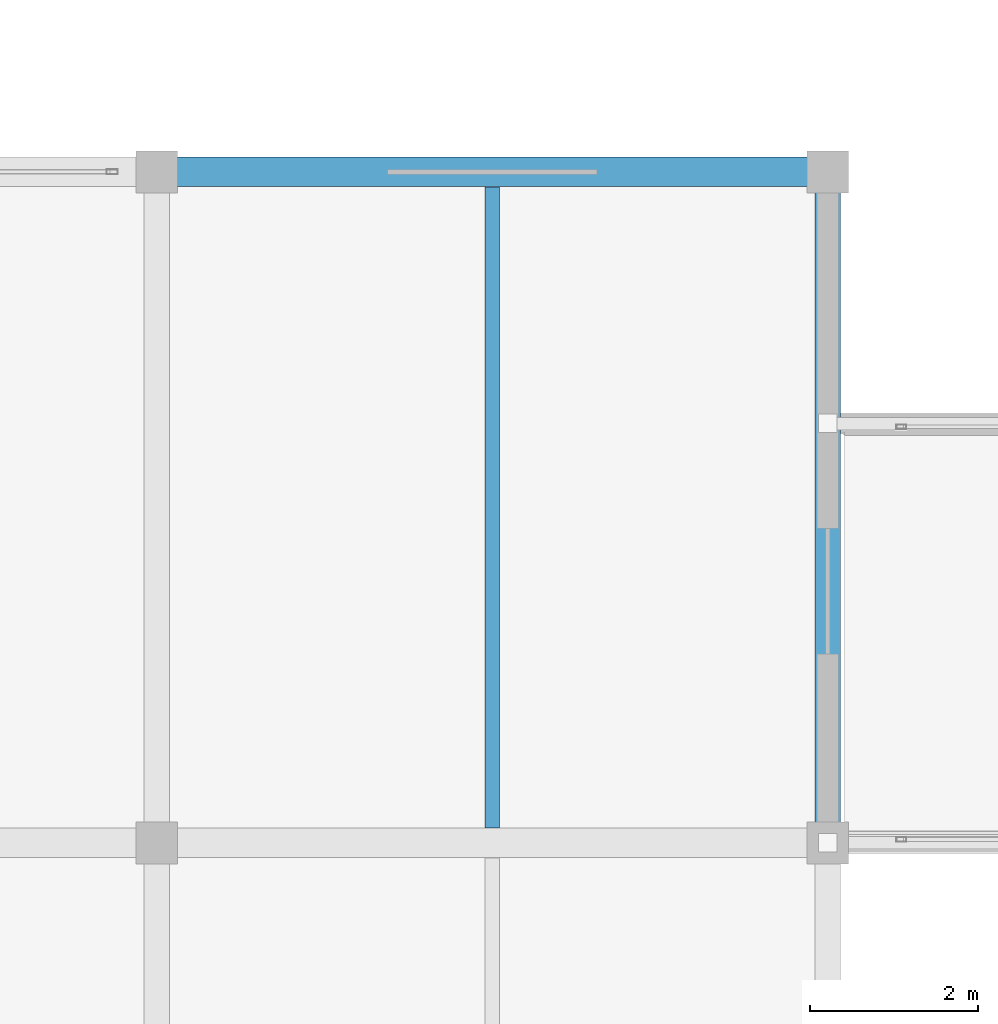
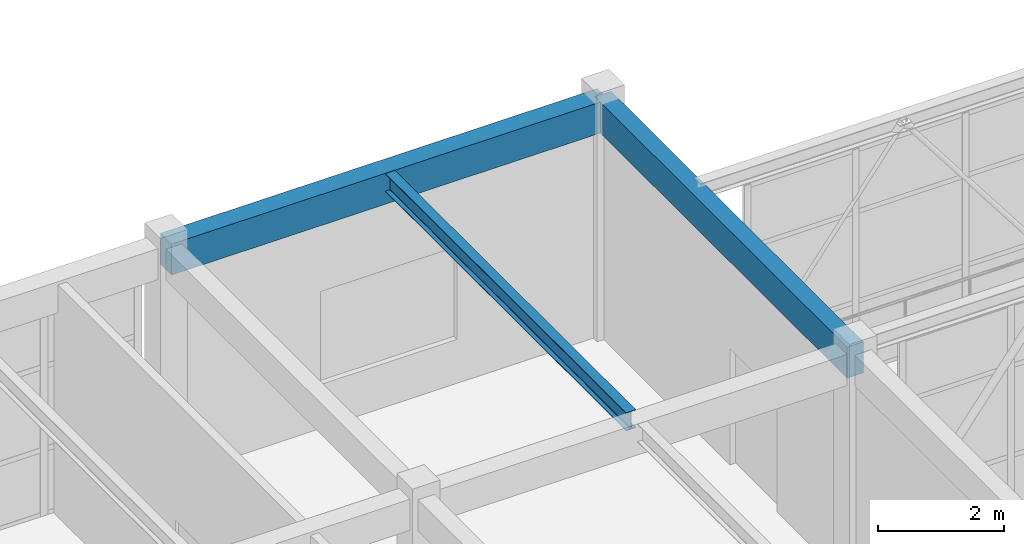
# One storey, part 27 of 248: 3 beams.
"""IFC4 building model written with IfcOpenShell, lengths in metres."""

from ifc_helpers import new_model, si_unit, direction, frame, origin, origin_2d, place, context, subcontext, project, spatial, rectangle, i_section, extrude, material, material_profile, profile_set, type_object, element, save


model = new_model("IFC4")

# Units and contexts
model_context = context("Model", 3, precision=1e-05, world=origin(), true_north=direction((0.0, 1.0)))
body_context = subcontext(model_context, "Body", "Model", "MODEL_VIEW")
ifc_project = project(units=[si_unit("LENGTHUNIT", "METRE"), si_unit("AREAUNIT", "SQUARE_METRE"), si_unit("VOLUMEUNIT", "CUBIC_METRE"), si_unit("PLANEANGLEUNIT", "RADIAN"), si_unit("MASSUNIT", "GRAM", prefix="KILO")], contexts=[model_context])

# Site, building, storey
site_placement = place(None, origin())
site = spatial("IfcSite", under=ifc_project, at=site_placement, CompositionType="ELEMENT")
building_placement = place(site_placement, origin())
building = spatial("IfcBuilding", under=site, at=building_placement, Name="Canggui Botanical Conservatory", CompositionType="ELEMENT")
storey_placement = place(building_placement, frame((0.0, 0.0, 5.39990234375)))
storey = spatial("IfcBuildingStorey", under=building, at=storey_placement, Name="L02", CompositionType="ELEMENT", Elevation=5.39990234375)

# Beams
ifc_material_1 = material(Name="Steel Q355B", Category="steel")
ifc_material_profile_1 = material_profile(ifc_material_1, i_section(OverallWidth=0.175048828125, OverallDepth=0.35009765625, WebThickness=0.007080078125, FlangeThickness=0.010986328125, FilletRadius=0.013916015625, at=origin_2d()), Name="HN 350x175x7x11")
ifc_profile_set_1 = profile_set([ifc_material_profile_1], Name="Steel Q355B")
beam_type_1 = type_object("IfcBeamType", Name="BM-JST07", PredefinedType="JOIST", material=ifc_profile_set_1)
beam_1_placement = place(storey_placement, frame((62.0, 26.179931640625, 4.385009765625), z_axis=(0.0, 1.0, 0.0), x_axis=(-1.0, 0.0, 0.0)))
element("IfcBeam", 1, at=beam_1_placement, inside=storey, type_object=beam_type_1, Name="Visitor Composite Steel Joist L02-5-3", PredefinedType="JOIST", context=body_context, shape_type="SweptSolid", body=[
    extrude(i_section(OverallWidth=0.175048828125, OverallDepth=0.35009765625, WebThickness=0.007080078125, FlangeThickness=0.010986328125, FilletRadius=0.013916015625, at=origin_2d()), origin(), (0.0, 0.0, 1.0), 7.64013671875),
])
ifc_material_2 = material(Name="Concrete C35", Category="concrete")
ifc_material_profile_2 = material_profile(ifc_material_2, rectangle(XDim=0.35009765625, YDim=0.60009765625, at=origin_2d()), Name="RB 350x600")
ifc_profile_set_2 = profile_set([ifc_material_profile_2], Name="Concrete C35")
beam_type_2 = type_object("IfcBeamType", Name="BM-KL19", PredefinedType="BEAM", material=ifc_profile_set_2)
beam_2_placement = place(storey_placement, frame((58.0, 34.0, 4.260009765625), z_axis=(1.0, 0.0, 0.0), x_axis=(0.0, 1.0, 0.0)))
element("IfcBeam", 2, at=beam_2_placement, inside=storey, type_object=beam_type_2, Name="Visitor Girder L02 Y34-5", PredefinedType="BEAM", context=body_context, shape_type="SweptSolid", body=[
    extrude(rectangle(XDim=0.35009765625, YDim=0.60009765625, at=origin_2d()), origin(), (0.0, 0.0, 1.0), 8.0),
])
ifc_material_profile_3 = material_profile(ifc_material_2, rectangle(XDim=0.300048828125, YDim=0.60009765625, at=origin_2d()), Name="RB 300x600")
ifc_profile_set_3 = profile_set([ifc_material_profile_3], Name="Concrete C35")
beam_type_3 = type_object("IfcBeamType", Name="BM-KL23", PredefinedType="BEAM", material=ifc_profile_set_3)
beam_3_placement = place(storey_placement, frame((66.0, 26.0, 4.260009765625), z_axis=(0.0, 1.0, 0.0), x_axis=(-1.0, 0.0, 0.0)))
element("IfcBeam", 3, at=beam_3_placement, inside=storey, type_object=beam_type_3, Name="Visitor Girder L02 X66-3", PredefinedType="BEAM", context=body_context, shape_type="SweptSolid", body=[
    extrude(rectangle(XDim=0.300048828125, YDim=0.60009765625, at=origin_2d()), origin(), (0.0, 0.0, 1.0), 8.0),
])

save(model, "model.ifc")
